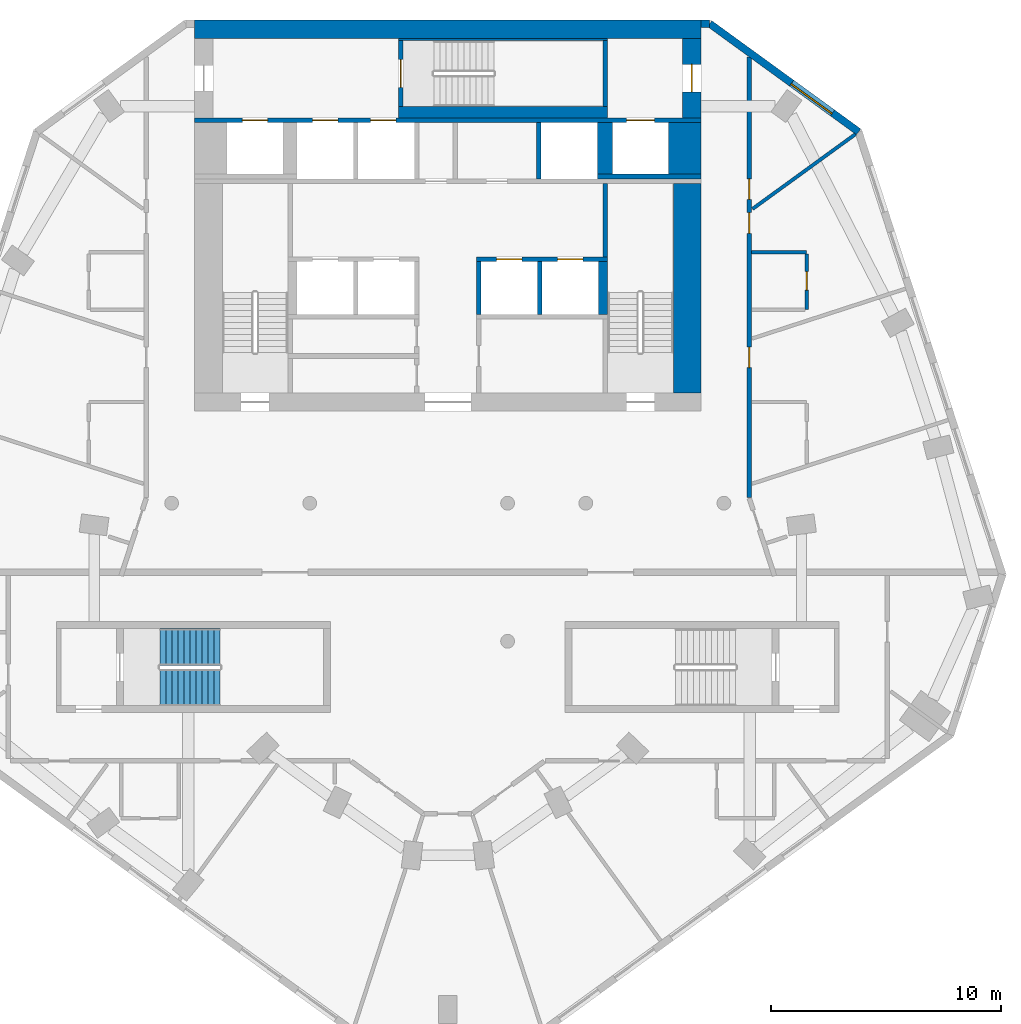
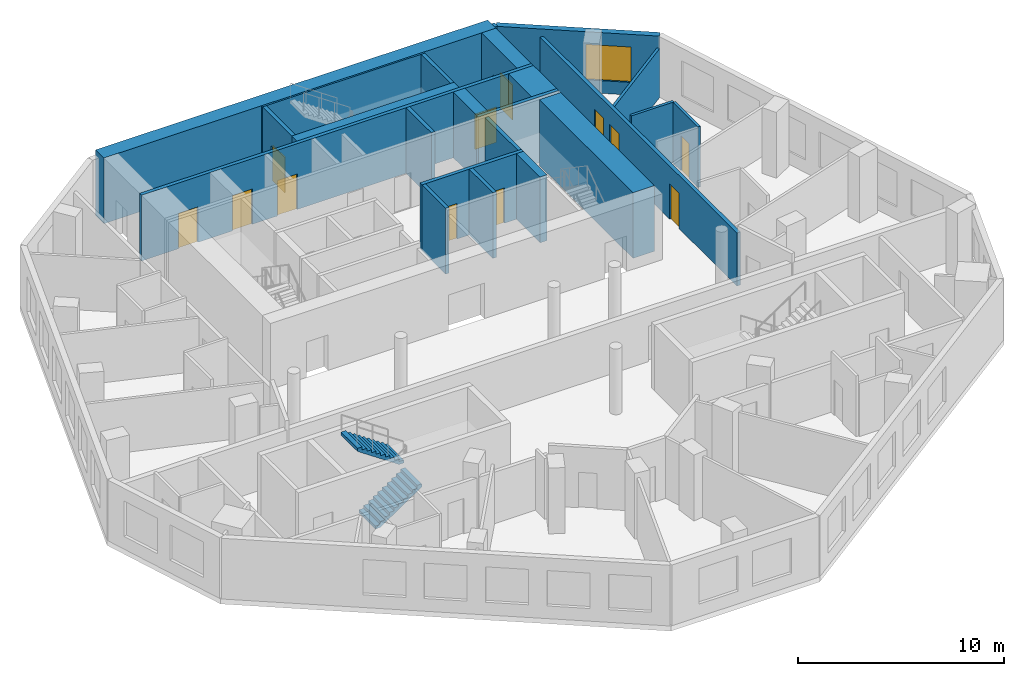
# One storey, part 6 of 9: 23 walls, 12 doors, 2 stair flights, 1 window, 13 openings, 1 element without a shape of its own.
"""IFC4 building model written with IfcOpenShell, lengths in metres."""

from ifc_helpers import new_model, si_unit, direction, frame, frame_2d, origin, place, context, subcontext, project, spatial, polyline, rectangle, outline, extrude, material, layer, layer_set, type_object, element, fill, aggregate, save


model = new_model("IFC4")

# Units and contexts
model_context = context("Model", 3, precision=1e-05, world=origin(), true_north=direction((0.0, 1.0)))
body_context = subcontext(model_context, "Body", "Model", "MODEL_VIEW")
ifc_project = project(units=[si_unit("LENGTHUNIT", "METRE"), si_unit("AREAUNIT", "SQUARE_METRE"), si_unit("VOLUMEUNIT", "CUBIC_METRE"), si_unit("PLANEANGLEUNIT", "RADIAN"), si_unit("MASSUNIT", "GRAM", prefix="KILO")], contexts=[model_context])

# Site, building, storey
site_placement = place(None, origin())
site = spatial("IfcSite", under=ifc_project, at=site_placement, CompositionType="ELEMENT")
building_placement = place(site_placement, origin())
building = spatial("IfcBuilding", under=site, at=building_placement, Name="White Candle Pilgrim Tower", CompositionType="ELEMENT")
storey_placement = place(building_placement, frame((0.0, 0.0, 239.39990234375)))
storey = spatial("IfcBuildingStorey", under=building, at=storey_placement, Name="L56", CompositionType="ELEMENT", Elevation=239.39990234375)

# Walls
ifc_material_1 = material(Name="Concrete C50/60", Category="concrete")
ifc_layer_1 = layer(ifc_material_1, 1.39990234375)
ifc_layer_set_1 = layer_set([ifc_layer_1], Name="Core wall 1400 mm Concrete C50/60")
wall_type_1 = type_object("IfcWallType", Name="Core wall 1400 mm Concrete C50/60", PredefinedType="SHEAR", material=ifc_layer_set_1)
wall_1_placement = place(storey_placement, frame((80.300048828125, 81.300048828125, 0.0), z_axis=(0.0, 0.0, 1.0), x_axis=(0.0, 1.0, 0.0)))
element("IfcWall", 1, at=wall_1_placement, inside=storey, type_object=wall_type_1, Name="WL-L56-C43", PredefinedType="SHEAR", context=body_context, shape_type="SweptSolid", body=[
    extrude(rectangle(XDim=2.25, YDim=1.39990234375, at=frame_2d((1.125, 0.0))), origin(), (0.0, 0.0, 1.0), 3.900146484375),
])
ifc_layer_2 = layer(ifc_material_1, 0.199951171875)
ifc_layer_set_2 = layer_set([ifc_layer_2], Name="Core wall 200 mm Concrete C50/60")
wall_type_2 = type_object("IfcWallType", Name="Core wall 200 mm Concrete C50/60", PredefinedType="SHEAR", material=ifc_layer_set_2)
wall_2_placement = place(storey_placement, frame((76.5, 81.199951171875, 0.0), z_axis=(0.0, 0.0, 1.0), x_axis=(1.0, 0.0, 0.0)))
element("IfcWall", 2, at=wall_2_placement, inside=storey, type_object=wall_type_2, Name="WL-L56-C39", PredefinedType="SHEAR", context=body_context, shape_type="SweptSolid", body=[
    extrude(rectangle(XDim=4.5, YDim=0.199951171875, at=frame_2d((2.25, 0.0))), origin(), (0.0, 0.0, 1.0), 3.900146484375),
])

# Wall, openings, doors
wall_3_placement = place(storey_placement, frame((59.0, 83.64990234375, 0.0), z_axis=(0.0, 0.0, 1.0), x_axis=(1.0, 0.0, 0.0)))
wall_3 = element("IfcWall", 3, at=wall_3_placement, inside=storey, type_object=wall_type_2, Name="WL-L56-C44", PredefinedType="SHEAR", context=body_context, shape_type="SweptSolid", body=[
    extrude(rectangle(XDim=22.0, YDim=0.199951171875, at=frame_2d((11.0, 0.0))), origin(), (0.0, 0.0, 1.0), 3.900146484375),
])
opening_1_placement = place(wall_3_placement, frame((5.125, 0.0, 0.0)))
opening_1 = element("IfcOpeningElement", 4, at=opening_1_placement, cuts=wall_3, Name="Opening T17-018", PredefinedType="OPENING", context=body_context, shape_type="SweptSolid", body=[
    extrude(rectangle(XDim=1.10009765625, YDim=2.10009765625, at=frame_2d((0.550048828125, 1.050048828125))), frame((0.0, 0.10986328125, 0.0), z_axis=(0.0, -1.0, 0.0), x_axis=(1.0, 0.0, 0.0)), (0.0, 0.0, 1.0), 0.219970703125),
])
opening_2_placement = place(wall_3_placement, frame((7.64990234375, 0.0, 0.0)))
opening_2 = element("IfcOpeningElement", 5, at=opening_2_placement, cuts=wall_3, Name="Opening T17-019", PredefinedType="OPENING", context=body_context, shape_type="SweptSolid", body=[
    extrude(rectangle(XDim=1.10009765625, YDim=2.10009765625, at=frame_2d((0.550048828125, 1.050048828125))), frame((0.0, 0.10986328125, 0.0), z_axis=(0.0, -1.0, 0.0), x_axis=(1.0, 0.0, 0.0)), (0.0, 0.0, 1.0), 0.219970703125),
])
opening_3_placement = place(wall_3_placement, frame((18.77490234375, 0.0, 0.0)))
opening_3 = element("IfcOpeningElement", 6, at=opening_3_placement, cuts=wall_3, Name="Opening T17-020", PredefinedType="OPENING", context=body_context, shape_type="SweptSolid", body=[
    extrude(rectangle(XDim=1.199951171875, YDim=2.10009765625, at=frame_2d((0.60009765625, 1.050048828125))), frame((0.0, 0.10986328125, 0.0), z_axis=(0.0, -1.0, 0.0), x_axis=(1.0, 0.0, 0.0)), (0.0, 0.0, 1.0), 0.219970703125),
])
opening_4_placement = place(wall_3_placement, frame((2.074951171875, 0.0, 0.0)))
opening_4 = element("IfcOpeningElement", 7, at=opening_4_placement, cuts=wall_3, Name="Opening T17-021", PredefinedType="OPENING", context=body_context, shape_type="SweptSolid", body=[
    extrude(rectangle(XDim=1.10009765625, YDim=2.10009765625, at=frame_2d((0.550048828125, 1.050048828125))), frame((0.0, 0.10986328125, 0.0), z_axis=(0.0, -1.0, 0.0), x_axis=(1.0, 0.0, 0.0)), (0.0, 0.0, 1.0), 0.219970703125),
])
ifc_material_2 = material(Name="Stainless steel", Category="steel")
door_type_1 = type_object("IfcDoorType", Name="Lift landing door 1100 x 2100 EI 60", OperationType="DOUBLE_DOOR_SLIDING", PredefinedType="DOOR", material=ifc_material_2)
door_1_placement = place(opening_1_placement, origin())
door_1 = element("IfcDoor", 8, at=door_1_placement, inside=storey, type_object=door_type_1, Name="Door T17-018", OperationType="DOUBLE_DOOR_SLIDING", OverallHeight=2.10009765625, OverallWidth=1.10009765625, PredefinedType="DOOR", context=body_context, shape_type="SweptSolid", body=[
    extrude(rectangle(XDim=1.10009765625, YDim=2.10009765625, at=frame_2d((0.550048828125, 1.050048828125))), frame((0.0, 0.02490234375, 0.0), z_axis=(0.0, -1.0, 0.0), x_axis=(1.0, 0.0, 0.0)), (0.0, 0.0, 1.0), 0.050048828125),
])
fill(opening_1, door_1)
door_2_placement = place(opening_2_placement, origin())
door_2 = element("IfcDoor", 9, at=door_2_placement, inside=storey, type_object=door_type_1, Name="Door T17-019", OperationType="DOUBLE_DOOR_SLIDING", OverallHeight=2.10009765625, OverallWidth=1.10009765625, PredefinedType="DOOR", context=body_context, shape_type="SweptSolid", body=[
    extrude(rectangle(XDim=1.10009765625, YDim=2.10009765625, at=frame_2d((0.550048828125, 1.050048828125))), frame((0.0, 0.02490234375, 0.0), z_axis=(0.0, -1.0, 0.0), x_axis=(1.0, 0.0, 0.0)), (0.0, 0.0, 1.0), 0.050048828125),
])
fill(opening_2, door_2)
door_3_placement = place(opening_4_placement, origin())
door_3 = element("IfcDoor", 10, at=door_3_placement, inside=storey, type_object=door_type_1, Name="Door T17-021", OperationType="DOUBLE_DOOR_SLIDING", OverallHeight=2.10009765625, OverallWidth=1.10009765625, PredefinedType="DOOR", context=body_context, shape_type="SweptSolid", body=[
    extrude(rectangle(XDim=1.10009765625, YDim=2.10009765625, at=frame_2d((0.550048828125, 1.050048828125))), frame((0.0, 0.02490234375, 0.0), z_axis=(0.0, -1.0, 0.0), x_axis=(1.0, 0.0, 0.0)), (0.0, 0.0, 1.0), 0.050048828125),
])
fill(opening_4, door_3)
door_type_2 = type_object("IfcDoorType", Name="Lift landing door 1200 x 2100 E 60", OperationType="DOUBLE_DOOR_SLIDING", PredefinedType="DOOR", material=ifc_material_2)
door_4_placement = place(opening_3_placement, origin())
door_4 = element("IfcDoor", 11, at=door_4_placement, inside=storey, type_object=door_type_2, Name="Door T17-020", OperationType="DOUBLE_DOOR_SLIDING", OverallHeight=2.10009765625, OverallWidth=1.199951171875, PredefinedType="DOOR", context=body_context, shape_type="SweptSolid", body=[
    extrude(rectangle(XDim=1.199951171875, YDim=2.10009765625, at=frame_2d((0.60009765625, 1.050048828125))), frame((0.0, 0.02490234375, 0.0), z_axis=(0.0, -1.0, 0.0), x_axis=(1.0, 0.0, 0.0)), (0.0, 0.0, 1.0), 0.050048828125),
])
fill(opening_3, door_4)

# Wall, opening, door
ifc_layer_3 = layer(ifc_material_1, 0.800048828125)
ifc_layer_set_3 = layer_set([ifc_layer_3], Name="Core wall 800 mm Concrete C50/60")
wall_type_3 = type_object("IfcWallType", Name="Core wall 800 mm Concrete C50/60", PredefinedType="SHEAR", material=ifc_layer_set_3)
wall_4_placement = place(storey_placement, frame((80.60009765625, 83.75, 0.0), z_axis=(0.0, 0.0, 1.0), x_axis=(0.0, 1.0, 0.0)))
wall_4 = element("IfcWall", 12, at=wall_4_placement, inside=storey, type_object=wall_type_3, Name="WL-L56-C47", PredefinedType="SHEAR", context=body_context, shape_type="SweptSolid", body=[
    extrude(rectangle(XDim=3.449951171875, YDim=0.800048828125, at=frame_2d((1.72509765625, 0.0))), origin(), (0.0, 0.0, 1.0), 3.900146484375),
])
opening_5_placement = place(wall_4_placement, frame((1.125, 0.0, 0.0)))
opening_5 = element("IfcOpeningElement", 13, at=opening_5_placement, cuts=wall_4, Name="Opening T17-009", PredefinedType="OPENING", context=body_context, shape_type="SweptSolid", body=[
    extrude(rectangle(XDim=1.199951171875, YDim=2.10009765625, at=frame_2d((0.60009765625, 1.050048828125))), frame((0.0, 0.409912109375, 0.0), z_axis=(0.0, -1.0, 0.0), x_axis=(1.0, 0.0, 0.0)), (0.0, 0.0, 1.0), 0.820068359375),
])
ifc_material_3 = material(Name="Steel door leaf", Category="steel")
door_type_3 = type_object("IfcDoorType", Name="Fire door 1200 x 2100 EI 30", OperationType="NOTDEFINED", PredefinedType="DOOR", material=ifc_material_3)
door_5_placement = place(opening_5_placement, origin())
door_5 = element("IfcDoor", 14, at=door_5_placement, inside=storey, type_object=door_type_3, Name="Door T17-009", OperationType="SINGLE_SWING_LEFT", OverallHeight=2.10009765625, OverallWidth=1.199951171875, PredefinedType="DOOR", context=body_context, shape_type="SweptSolid", body=[
    extrude(rectangle(XDim=1.199951171875, YDim=2.10009765625, at=frame_2d((0.60009765625, 1.050048828125))), frame((0.0, 0.02490234375, 0.0), z_axis=(0.0, -1.0, 0.0), x_axis=(1.0, 0.0, 0.0)), (0.0, 0.0, 1.0), 0.050048828125),
])
fill(opening_5, door_5)

# Wall
wall_5_placement = place(storey_placement, frame((59.0, 87.60009765625, 0.0), z_axis=(0.0, 0.0, 1.0), x_axis=(1.0, 0.0, 0.0)))
element("IfcWall", 15, at=wall_5_placement, inside=storey, type_object=wall_type_3, Name="WL-L56-C51", PredefinedType="SHEAR", context=body_context, shape_type="SweptSolid", body=[
    extrude(rectangle(XDim=22.0, YDim=0.800048828125, at=frame_2d((11.0, 0.0))), origin(), (0.0, 0.0, 1.0), 3.900146484375),
])

# Wall, openings, doors
ifc_material_4 = material(Name="Gypsum board on steel studs", Category="steel")
ifc_layer_4 = layer(ifc_material_4, 0.199951171875)
ifc_layer_set_4 = layer_set([ifc_layer_4], Name="Corridor wall 200 mm EI 45")
wall_type_4 = type_object("IfcWallType", Name="Corridor wall 200 mm EI 45", PredefinedType="PARTITIONING", material=ifc_layer_set_4)
wall_6_placement = place(storey_placement, frame((83.10009765625, 86.396240234375, 0.0), z_axis=(0.0, 0.0, 1.0), x_axis=(0.0, -1.0, 0.0)))
wall_6 = element("IfcWall", 16, at=wall_6_placement, inside=storey, type_object=wall_type_4, Name="WL-L56-P004", PredefinedType="PARTITIONING", context=body_context, shape_type="SweptSolid", body=[
    extrude(rectangle(XDim=19.154296875, YDim=0.199951171875, at=frame_2d((9.5771484375, 0.0))), origin(), (0.0, 0.0, 1.0), 3.150146484375),
])
opening_6_placement = place(wall_6_placement, frame((5.29638671875, 0.0, 0.0)))
opening_6 = element("IfcOpeningElement", 17, at=opening_6_placement, cuts=wall_6, Name="Opening T17-123", PredefinedType="OPENING", context=body_context, shape_type="SweptSolid", body=[
    extrude(rectangle(XDim=0.89990234375, YDim=2.10009765625, at=frame_2d((0.449951171875, 1.050048828125))), frame((0.0, 0.10986328125, 0.0), z_axis=(0.0, -1.0, 0.0), x_axis=(1.0, 0.0, 0.0)), (0.0, 0.0, 1.0), 0.219970703125),
])
opening_7_placement = place(wall_6_placement, frame((6.770751953125, 0.0, 0.0)))
opening_7 = element("IfcOpeningElement", 18, at=opening_7_placement, cuts=wall_6, Name="Opening T17-124", PredefinedType="OPENING", context=body_context, shape_type="SweptSolid", body=[
    extrude(rectangle(XDim=0.89990234375, YDim=2.10009765625, at=frame_2d((0.449951171875, 1.050048828125))), frame((0.0, 0.10986328125, 0.0), z_axis=(0.0, -1.0, 0.0), x_axis=(1.0, 0.0, 0.0)), (0.0, 0.0, 1.0), 0.219970703125),
])
opening_8_placement = place(wall_6_placement, frame((12.607666015625, 0.0, 0.0)))
opening_8 = element("IfcOpeningElement", 19, at=opening_8_placement, cuts=wall_6, Name="Opening T17-125", PredefinedType="OPENING", context=body_context, shape_type="SweptSolid", body=[
    extrude(rectangle(XDim=0.89990234375, YDim=2.10009765625, at=frame_2d((0.449951171875, 1.050048828125))), frame((0.0, 0.10986328125, 0.0), z_axis=(0.0, -1.0, 0.0), x_axis=(1.0, 0.0, 0.0)), (0.0, 0.0, 1.0), 0.219970703125),
])
door_type_4 = type_object("IfcDoorType", Name="Fire door 900 x 2100 EI 30", OperationType="NOTDEFINED", PredefinedType="DOOR", material=ifc_material_3)
door_6_placement = place(opening_6_placement, origin())
door_6 = element("IfcDoor", 20, at=door_6_placement, inside=storey, type_object=door_type_4, Name="Door T17-123", OperationType="SINGLE_SWING_LEFT", OverallHeight=2.10009765625, OverallWidth=0.89990234375, PredefinedType="DOOR", context=body_context, shape_type="SweptSolid", body=[
    extrude(rectangle(XDim=0.89990234375, YDim=2.10009765625, at=frame_2d((0.449951171875, 1.050048828125))), frame((0.0, 0.02490234375, 0.0), z_axis=(0.0, -1.0, 0.0), x_axis=(1.0, 0.0, 0.0)), (0.0, 0.0, 1.0), 0.050048828125),
])
fill(opening_6, door_6)
door_7_placement = place(opening_7_placement, origin())
door_7 = element("IfcDoor", 21, at=door_7_placement, inside=storey, type_object=door_type_4, Name="Door T17-124", OperationType="SINGLE_SWING_RIGHT", OverallHeight=2.10009765625, OverallWidth=0.89990234375, PredefinedType="DOOR", context=body_context, shape_type="SweptSolid", body=[
    extrude(rectangle(XDim=0.89990234375, YDim=2.10009765625, at=frame_2d((0.449951171875, 1.050048828125))), frame((0.0, 0.02490234375, 0.0), z_axis=(0.0, -1.0, 0.0), x_axis=(1.0, 0.0, 0.0)), (0.0, 0.0, 1.0), 0.050048828125),
])
fill(opening_7, door_7)
door_8_placement = place(opening_8_placement, origin())
door_8 = element("IfcDoor", 22, at=door_8_placement, inside=storey, type_object=door_type_4, Name="Door T17-125", OperationType="SINGLE_SWING_LEFT", OverallHeight=2.10009765625, OverallWidth=0.89990234375, PredefinedType="DOOR", context=body_context, shape_type="SweptSolid", body=[
    extrude(rectangle(XDim=0.89990234375, YDim=2.10009765625, at=frame_2d((0.449951171875, 1.050048828125))), frame((0.0, 0.02490234375, 0.0), z_axis=(0.0, -1.0, 0.0), x_axis=(1.0, 0.0, 0.0)), (0.0, 0.0, 1.0), 0.050048828125),
])
fill(opening_8, door_8)

# Wall, opening, window
ifc_material_5 = material(Name="Precast concrete C40/50", Category="concrete")
ifc_layer_5 = layer(ifc_material_5, 0.320068359375)
ifc_layer_set_5 = layer_set([ifc_layer_5], Name="Facade wall EW1 precast concrete C40/50 pier wall with timber-lined reveals")
wall_type_5 = type_object("IfcWallType", Name="Facade wall EW1 precast concrete C40/50 pier wall with timber-lined reveals", PredefinedType="SOLIDWALL", material=ifc_layer_set_5)
wall_7_placement = place(storey_placement, frame((87.85546875, 83.138916015625, 0.0), z_axis=(0.0, 0.0, 1.0), x_axis=(-0.809010558388, 0.587794110566, 0.0)))
wall_7 = element("IfcWall", 23, at=wall_7_placement, inside=storey, type_object=wall_type_5, Name="Facade wall L56 NE chamfer", PredefinedType="SOLIDWALL", context=body_context, shape_type="SweptSolid", body=[
    extrude(rectangle(XDim=7.998046875, YDim=0.320068359375, at=frame_2d((3.9990234375, 0.0))), origin(), (0.0, 0.0, 1.0), 3.60009765625),
])
opening_9_placement = place(wall_7_placement, frame((1.39892578125, 0.0, 0.75)))
opening_9 = element("IfcOpeningElement", 24, at=opening_9_placement, cuts=wall_7, Name="Opening W4", PredefinedType="OPENING", context=body_context, shape_type="SweptSolid", body=[
    extrude(rectangle(XDim=2.199951171875, YDim=2.10009765625, at=frame_2d((1.10009765625, 1.050048828125))), frame((0.0, 0.169921875, 0.0), z_axis=(0.0, -1.0, 0.0), x_axis=(1.0, 0.0, 0.0)), (0.0, 0.0, 1.0), 0.340087890625),
])
ifc_material_6 = material(Name="Timber frame with triple glazing", Category="wood")
window_type = type_object("IfcWindowType", Name="Window W4 2200x2100 timber frame triple glazing", PartitioningType="SINGLE_PANEL", PredefinedType="WINDOW", material=ifc_material_6)
window_placement = place(opening_9_placement, origin())
window = element("IfcWindow", 25, at=window_placement, inside=storey, type_object=window_type, Name="Window W4 L56 NE chamfer 1", OverallHeight=2.10009765625, OverallWidth=2.199951171875, PartitioningType="SINGLE_PANEL", PredefinedType="WINDOW", context=body_context, shape_type="SweptSolid", body=[
    extrude(rectangle(XDim=2.199951171875, YDim=2.10009765625, at=frame_2d((1.10009765625, 1.050048828125))), frame((0.0, 0.070068359375, 0.0), z_axis=(0.0, -1.0, 0.0), x_axis=(1.0, 0.0, 0.0)), (0.0, 0.0, 1.0), 0.06005859375),
])
fill(opening_9, window)

# Walls
wall_8_placement = place(storey_placement, frame((81.385009765625, 87.840087890625, 0.0), z_axis=(0.0, 0.0, 1.0), x_axis=(-1.0, 0.0, 0.0)))
element("IfcWall", 26, at=wall_8_placement, inside=storey, type_object=wall_type_5, Name="Facade wall L56 N", PredefinedType="SOLIDWALL", context=body_context, shape_type="SweptSolid", body=[
    extrude(rectangle(XDim=0.385009765625, YDim=0.320068359375, at=frame_2d((0.1923828125, 0.0))), origin(), (0.0, 0.0, 1.0), 3.60009765625),
])
ifc_layer_6 = layer(ifc_material_4, 0.14990234375)
ifc_layer_set_6 = layer_set([ifc_layer_6], Name="Partition 150 mm EI 60")
wall_type_6 = type_object("IfcWallType", Name="Partition 150 mm EI 60", PredefinedType="PARTITIONING", material=ifc_layer_set_6)
wall_9_placement = place(storey_placement, frame((87.71923828125, 83.0400390625, 0.0), z_axis=(0.0, 0.0, 1.0), x_axis=(-0.809028003405, -0.587770099364, 0.0)))
element("IfcWall", 27, at=wall_9_placement, inside=storey, type_object=wall_type_6, Name="WL-L56-P018", PredefinedType="PARTITIONING", context=body_context, shape_type="SweptSolid", body=[
    extrude(rectangle(XDim=5.531494140625, YDim=0.14990234375, at=frame_2d((2.765625, 0.0))), origin(), (0.0, 0.0, 1.0), 2.900146484375),
])
wall_10_placement = place(storey_placement, frame((83.199951171875, 77.913330078125, 0.0), z_axis=(0.0, 0.0, 1.0), x_axis=(1.0, 0.0, 0.0)))
element("IfcWall", 28, at=wall_10_placement, inside=storey, type_object=wall_type_6, Name="WL-L56-P042", PredefinedType="PARTITIONING", context=body_context, shape_type="SweptSolid", body=[
    extrude(rectangle(XDim=2.400146484375, YDim=0.14990234375, at=frame_2d((1.2001953125, 0.0))), origin(), (0.0, 0.0, 1.0), 3.60009765625),
])

# Wall, opening, door
wall_11_placement = place(storey_placement, frame((85.60009765625, 75.413330078125, 0.0), z_axis=(0.0, 0.0, 1.0), x_axis=(0.0, 1.0, 0.0)))
wall_11 = element("IfcWall", 29, at=wall_11_placement, inside=storey, type_object=wall_type_6, Name="WL-L56-P043", PredefinedType="PARTITIONING", context=body_context, shape_type="SweptSolid", body=[
    extrude(rectangle(XDim=2.425048828125, YDim=0.14990234375, at=frame_2d((1.21240234375, 0.0))), origin(), (0.0, 0.0, 1.0), 3.60009765625),
])
opening_10_placement = place(wall_11_placement, frame((0.85009765625, 0.0, 0.0)))
opening_10 = element("IfcOpeningElement", 30, at=opening_10_placement, cuts=wall_11, Name="Opening T17-116", PredefinedType="OPENING", context=body_context, shape_type="SweptSolid", body=[
    extrude(rectangle(XDim=0.800048828125, YDim=2.10009765625, at=frame_2d((0.39990234375, 1.050048828125))), frame((0.0, 0.0849609375, 0.0), z_axis=(0.0, -1.0, 0.0), x_axis=(1.0, 0.0, 0.0)), (0.0, 0.0, 1.0), 0.169921875),
])
door_type_5 = type_object("IfcDoorType", Name="Fire door 800 x 2100 EI 30", OperationType="NOTDEFINED", PredefinedType="DOOR", material=ifc_material_3)
door_9_placement = place(opening_10_placement, frame((0.800048828125, 0.0, 0.0), z_axis=(0.0, 0.0, 1.0), x_axis=(-1.0, 0.0, 0.0)))
door_9 = element("IfcDoor", 31, at=door_9_placement, inside=storey, type_object=door_type_5, Name="Door T17-116", OperationType="SINGLE_SWING_LEFT", OverallHeight=2.10009765625, OverallWidth=0.800048828125, PredefinedType="DOOR", context=body_context, shape_type="SweptSolid", body=[
    extrude(rectangle(XDim=0.800048828125, YDim=2.10009765625, at=frame_2d((0.39990234375, 1.050048828125))), frame((0.0, 0.02490234375, 0.0), z_axis=(0.0, -1.0, 0.0), x_axis=(1.0, 0.0, 0.0)), (0.0, 0.0, 1.0), 0.050048828125),
])
fill(opening_10, door_9)

# Walls
ifc_layer_7 = layer(ifc_material_1, 0.199951171875)
ifc_layer_set_7 = layer_set([ifc_layer_7], Name="Shaft wall 200 mm Concrete C50/60")
wall_type_7 = type_object("IfcWallType", Name="Shaft wall 200 mm Concrete C50/60", PredefinedType="SHEAR", material=ifc_layer_set_7)
for number, where, z_axis, x_axis, name in (
    (32, (71.35009765625, 75.199951171875, 0.0), (0.0, 0.0, 1.0), (0.0, 1.0, 0.0), "WL-L56-C26"),
    (33, (74.0, 75.199951171875, 0.0), (0.0, 0.0, 1.0), (0.0, 1.0, 0.0), "WL-L56-C27"),
):
    element("IfcWall", number, at=place(storey_placement, frame(where, z_axis=z_axis, x_axis=x_axis)), inside=storey, type_object=wall_type_7, Name=name, PredefinedType="SHEAR", context=body_context, shape_type="SweptSolid", body=[
        extrude(rectangle(XDim=2.300048828125, YDim=0.199951171875, at=frame_2d((1.14990234375, 0.0))), origin(), (0.0, 0.0, 1.0), 3.900146484375),
    ])
wall_12_placement = place(storey_placement, frame((73.949951171875, 81.10009765625, 0.0), z_axis=(0.0, 0.0, 1.0), x_axis=(0.0, 1.0, 0.0)))
element("IfcWall", 34, at=wall_12_placement, inside=storey, type_object=wall_type_7, Name="WL-L56-C38", PredefinedType="SHEAR", context=body_context, shape_type="SweptSolid", body=[
    extrude(rectangle(XDim=2.449951171875, YDim=0.199951171875, at=frame_2d((1.22509765625, 0.0))), origin(), (0.0, 0.0, 1.0), 3.900146484375),
])
ifc_layer_8 = layer(ifc_material_1, 0.64990234375)
ifc_layer_set_8 = layer_set([ifc_layer_8], Name="Shaft wall 650 mm Concrete C50/60")
wall_type_8 = type_object("IfcWallType", Name="Shaft wall 650 mm Concrete C50/60", PredefinedType="SHEAR", material=ifc_layer_set_8)
wall_13_placement = place(storey_placement, frame((76.824951171875, 81.300048828125, 0.0), z_axis=(0.0, 0.0, 1.0), x_axis=(0.0, 1.0, 0.0)))
element("IfcWall", 35, at=wall_13_placement, inside=storey, type_object=wall_type_8, Name="WL-L56-C42", PredefinedType="SHEAR", context=body_context, shape_type="SweptSolid", body=[
    extrude(rectangle(XDim=2.25, YDim=0.64990234375, at=frame_2d((1.125, 0.0))), origin(), (0.0, 0.0, 1.0), 3.900146484375),
])
ifc_layer_9 = layer(ifc_material_1, 0.10009765625)
ifc_layer_set_9 = layer_set([ifc_layer_9], Name="Stair shaft wall 100 mm Concrete C50/60")
wall_type_9 = type_object("IfcWallType", Name="Stair shaft wall 100 mm Concrete C50/60", PredefinedType="SHEAR", material=ifc_layer_set_9)
wall_14_placement = place(storey_placement, frame((67.85009765625, 87.14990234375, 0.0), z_axis=(0.0, 0.0, 1.0), x_axis=(1.0, 0.0, 0.0)))
element("IfcWall", 36, at=wall_14_placement, inside=storey, type_object=wall_type_9, Name="WL-L56-C50", PredefinedType="SHEAR", context=body_context, shape_type="SweptSolid", body=[
    extrude(rectangle(XDim=9.099853515625, YDim=0.10009765625, at=frame_2d((4.5498046875, 0.0))), origin(), (0.0, 0.0, 1.0), 3.900146484375),
])
ifc_layer_10 = layer(ifc_material_1, 1.199951171875)
ifc_layer_set_10 = layer_set([ifc_layer_10], Name="Stair shaft wall 1200 mm Concrete C50/60")
wall_type_10 = type_object("IfcWallType", Name="Stair shaft wall 1200 mm Concrete C50/60", PredefinedType="SHEAR", material=ifc_layer_set_10)
wall_15_placement = place(storey_placement, frame((80.39990234375, 71.800048828125, 0.0), z_axis=(0.0, 0.0, 1.0), x_axis=(0.0, 1.0, 0.0)))
element("IfcWall", 37, at=wall_15_placement, inside=storey, type_object=wall_type_10, Name="WL-L56-C17", PredefinedType="SHEAR", context=body_context, shape_type="SweptSolid", body=[
    extrude(rectangle(XDim=9.099853515625, YDim=1.199951171875, at=frame_2d((4.5498046875, 0.0))), origin(), (0.0, 0.0, 1.0), 3.900146484375),
])

# Wall, openings, doors
ifc_layer_11 = layer(ifc_material_1, 0.199951171875)
ifc_layer_set_11 = layer_set([ifc_layer_11], Name="Stair shaft wall 200 mm Concrete C50/60")
wall_type_11 = type_object("IfcWallType", Name="Stair shaft wall 200 mm Concrete C50/60", PredefinedType="SHEAR", material=ifc_layer_set_11)
wall_16_placement = place(storey_placement, frame((71.25, 77.60009765625, 0.0), z_axis=(0.0, 0.0, 1.0), x_axis=(1.0, 0.0, 0.0)))
wall_16 = element("IfcWall", 38, at=wall_16_placement, inside=storey, type_object=wall_type_11, Name="WL-L56-C30", PredefinedType="SHEAR", context=body_context, shape_type="SweptSolid", body=[
    extrude(rectangle(XDim=5.699951171875, YDim=0.199951171875, at=frame_2d((2.85009765625, 0.0))), origin(), (0.0, 0.0, 1.0), 3.900146484375),
])
opening_11_placement = place(wall_16_placement, frame((0.875, 0.0, 0.0)))
opening_11 = element("IfcOpeningElement", 39, at=opening_11_placement, cuts=wall_16, Name="Opening T17-016", PredefinedType="OPENING", context=body_context, shape_type="SweptSolid", body=[
    extrude(rectangle(XDim=1.10009765625, YDim=2.10009765625, at=frame_2d((0.550048828125, 1.050048828125))), frame((0.0, 0.10986328125, 0.0), z_axis=(0.0, -1.0, 0.0), x_axis=(1.0, 0.0, 0.0)), (0.0, 0.0, 1.0), 0.219970703125),
])
opening_12_placement = place(wall_16_placement, frame((3.52490234375, 0.0, 0.0)))
opening_12 = element("IfcOpeningElement", 40, at=opening_12_placement, cuts=wall_16, Name="Opening T17-017", PredefinedType="OPENING", context=body_context, shape_type="SweptSolid", body=[
    extrude(rectangle(XDim=1.10009765625, YDim=2.10009765625, at=frame_2d((0.550048828125, 1.050048828125))), frame((0.0, 0.10986328125, 0.0), z_axis=(0.0, -1.0, 0.0), x_axis=(1.0, 0.0, 0.0)), (0.0, 0.0, 1.0), 0.219970703125),
])
door_type_6 = type_object("IfcDoorType", Name="Lift landing door 1100 x 2100 E 60", OperationType="DOUBLE_DOOR_SLIDING", PredefinedType="DOOR", material=ifc_material_2)
door_10_placement = place(opening_11_placement, origin())
door_10 = element("IfcDoor", 41, at=door_10_placement, inside=storey, type_object=door_type_6, Name="Door T17-016", OperationType="DOUBLE_DOOR_SLIDING", OverallHeight=2.10009765625, OverallWidth=1.10009765625, PredefinedType="DOOR", context=body_context, shape_type="SweptSolid", body=[
    extrude(rectangle(XDim=1.10009765625, YDim=2.10009765625, at=frame_2d((0.550048828125, 1.050048828125))), frame((0.0, 0.02490234375, 0.0), z_axis=(0.0, -1.0, 0.0), x_axis=(1.0, 0.0, 0.0)), (0.0, 0.0, 1.0), 0.050048828125),
])
fill(opening_11, door_10)
door_11_placement = place(opening_12_placement, origin())
door_11 = element("IfcDoor", 42, at=door_11_placement, inside=storey, type_object=door_type_6, Name="Door T17-017", OperationType="DOUBLE_DOOR_SLIDING", OverallHeight=2.10009765625, OverallWidth=1.10009765625, PredefinedType="DOOR", context=body_context, shape_type="SweptSolid", body=[
    extrude(rectangle(XDim=1.10009765625, YDim=2.10009765625, at=frame_2d((0.550048828125, 1.050048828125))), frame((0.0, 0.02490234375, 0.0), z_axis=(0.0, -1.0, 0.0), x_axis=(1.0, 0.0, 0.0)), (0.0, 0.0, 1.0), 0.050048828125),
])
fill(opening_12, door_11)

# Wall
wall_17_placement = place(storey_placement, frame((76.85009765625, 77.699951171875, 0.0), z_axis=(0.0, 0.0, 1.0), x_axis=(0.0, 1.0, 0.0)))
element("IfcWall", 43, at=wall_17_placement, inside=storey, type_object=wall_type_11, Name="WL-L56-C32", PredefinedType="SHEAR", context=body_context, shape_type="SweptSolid", body=[
    extrude(rectangle(XDim=3.199951171875, YDim=0.199951171875, at=frame_2d((1.60009765625, 0.0))), origin(), (0.0, 0.0, 1.0), 3.900146484375),
])

# Wall, opening, door
wall_18_placement = place(storey_placement, frame((67.949951171875, 84.25, 0.0), z_axis=(0.0, 0.0, 1.0), x_axis=(0.0, 1.0, 0.0)))
wall_18 = element("IfcWall", 44, at=wall_18_placement, inside=storey, type_object=wall_type_11, Name="WL-L56-C48", PredefinedType="SHEAR", context=body_context, shape_type="SweptSolid", body=[
    extrude(rectangle(XDim=2.85009765625, YDim=0.199951171875, at=frame_2d((1.425048828125, 0.0))), origin(), (0.0, 0.0, 1.0), 3.900146484375),
])
opening_13_placement = place(wall_18_placement, frame((0.824951171875, 0.0, 0.0)))
opening_13 = element("IfcOpeningElement", 45, at=opening_13_placement, cuts=wall_18, Name="Opening T17-003", PredefinedType="OPENING", context=body_context, shape_type="SweptSolid", body=[
    extrude(rectangle(XDim=1.199951171875, YDim=2.10009765625, at=frame_2d((0.60009765625, 1.050048828125))), frame((0.0, 0.10986328125, 0.0), z_axis=(0.0, -1.0, 0.0), x_axis=(1.0, 0.0, 0.0)), (0.0, 0.0, 1.0), 0.219970703125),
])
door_type_7 = type_object("IfcDoorType", Name="Fire door 1200 x 2100 EI 60", OperationType="NOTDEFINED", PredefinedType="DOOR", material=ifc_material_3)
door_12_placement = place(opening_13_placement, frame((1.199951171875, 0.0, 0.0), z_axis=(0.0, 0.0, 1.0), x_axis=(-1.0, 0.0, 0.0)))
door_12 = element("IfcDoor", 46, at=door_12_placement, inside=storey, type_object=door_type_7, Name="Door T17-003", OperationType="SINGLE_SWING_RIGHT", OverallHeight=2.10009765625, OverallWidth=1.199951171875, PredefinedType="DOOR", context=body_context, shape_type="SweptSolid", body=[
    extrude(rectangle(XDim=1.199951171875, YDim=2.10009765625, at=frame_2d((0.60009765625, 1.050048828125))), frame((0.0, 0.02490234375, 0.0), z_axis=(0.0, -1.0, 0.0), x_axis=(1.0, 0.0, 0.0)), (0.0, 0.0, 1.0), 0.050048828125),
])
fill(opening_13, door_12)

# Walls
wall_19_placement = place(storey_placement, frame((76.85009765625, 84.25, 0.0), z_axis=(0.0, 0.0, 1.0), x_axis=(0.0, 1.0, 0.0)))
element("IfcWall", 47, at=wall_19_placement, inside=storey, type_object=wall_type_11, Name="WL-L56-C49", PredefinedType="SHEAR", context=body_context, shape_type="SweptSolid", body=[
    extrude(rectangle(XDim=2.85009765625, YDim=0.199951171875, at=frame_2d((1.425048828125, 0.0))), origin(), (0.0, 0.0, 1.0), 3.900146484375),
])
ifc_layer_12 = layer(ifc_material_1, 0.39990234375)
ifc_layer_set_12 = layer_set([ifc_layer_12], Name="Stair shaft wall 400 mm Concrete C50/60")
wall_type_12 = type_object("IfcWallType", Name="Stair shaft wall 400 mm Concrete C50/60", PredefinedType="SHEAR", material=ifc_layer_set_12)
wall_20_placement = place(storey_placement, frame((76.75, 75.199951171875, 0.0), z_axis=(0.0, 0.0, 1.0), x_axis=(0.0, 1.0, 0.0)))
element("IfcWall", 48, at=wall_20_placement, inside=storey, type_object=wall_type_12, Name="WL-L56-C28", PredefinedType="SHEAR", context=body_context, shape_type="SweptSolid", body=[
    extrude(rectangle(XDim=2.300048828125, YDim=0.39990234375, at=frame_2d((1.14990234375, 0.0))), origin(), (0.0, 0.0, 1.0), 3.900146484375),
])
ifc_layer_13 = layer(ifc_material_1, 0.5)
ifc_layer_set_13 = layer_set([ifc_layer_13], Name="Stair shaft wall 500 mm Concrete C50/60")
wall_type_13 = type_object("IfcWallType", Name="Stair shaft wall 500 mm Concrete C50/60", PredefinedType="SHEAR", material=ifc_layer_set_13)
wall_21_placement = place(storey_placement, frame((67.85009765625, 84.0, 0.0), z_axis=(0.0, 0.0, 1.0), x_axis=(1.0, 0.0, 0.0)))
element("IfcWall", 49, at=wall_21_placement, inside=storey, type_object=wall_type_13, Name="WL-L56-C46", PredefinedType="SHEAR", context=body_context, shape_type="SweptSolid", body=[
    extrude(rectangle(XDim=9.099853515625, YDim=0.5, at=frame_2d((4.5498046875, 0.0))), origin(), (0.0, 0.0, 1.0), 3.900146484375),
])

# Stair, stair flights
ifc_material_7 = material(Name="Concrete C40/50", Category="concrete")
stair_type = type_object("IfcStairType", Name="Exit stair 5 flight width 1600 mm", PredefinedType="HALF_TURN_STAIR", material=ifc_material_7)
stair_placement = place(storey_placement, origin())
stair = element("IfcStair", 50, at=stair_placement, inside=storey, type_object=stair_type, Name="L56 stair 5", PredefinedType="NOTDEFINED")
ifc_layer_14 = layer(ifc_material_7, 0.14990234375)
ifc_layer_set_14 = layer_set([ifc_layer_14], Name="Stair flight Concrete C40/50")
stair_flight_type = type_object("IfcStairFlightType", Name="Stair flight Concrete C40/50", PredefinedType="STRAIGHT", material=ifc_layer_set_14)
stair_flight_1_placement = place(storey_placement, frame((57.5, 59.0, 0.0), z_axis=(0.0, 0.0, 1.0), x_axis=(1.0, 0.0, 0.0)))
stair_flight_1 = element("IfcStairFlight", 51, at=stair_flight_1_placement, type_object=stair_flight_type, Name="ST5 flight 1", NumberOfRisers=11, NumberOfTreads=10, PredefinedType="NOTDEFINED", RiserHeight=0.177272727, TreadLength=0.26, context=body_context, shape_type="SweptSolid", body=[
    extrude(outline(polyline([(0.0, 0.0), (0.0, 0.17724609375), (0.260009765625, 0.17724609375), (0.260009765625, 0.3544921875), (0.52001953125, 0.3544921875), (0.52001953125, 0.53173828125), (0.780029296875, 0.53173828125), (0.780029296875, 0.708984375), (1.0400390625, 0.708984375), (1.0400390625, 0.886474609375), (1.300048828125, 0.886474609375), (1.300048828125, 1.063720703125), (1.56005859375, 1.063720703125), (1.56005859375, 1.240966796875), (1.820068359375, 1.240966796875), (1.820068359375, 1.418212890625), (2.080078125, 1.418212890625), (2.080078125, 1.595458984375), (2.340087890625, 1.595458984375), (2.340087890625, 1.772705078125), (2.60009765625, 1.772705078125), (2.60009765625, 1.949951171875), (2.60009765625, 1.59130859375), (0.26611328125, 0.0), (0.0, 0.0)])), frame((0.0, 0.800048828125, 0.0), z_axis=(0.0, -1.0, 0.0), x_axis=(1.0, 0.0, 0.0)), (0.0, 0.0, 1.0), 1.60009765625),
])
stair_flight_2_placement = place(storey_placement, frame((60.10009765625, 60.75, 1.9501953125), z_axis=(0.0, 0.0, 1.0), x_axis=(-1.0, 0.0, 0.0)))
stair_flight_2 = element("IfcStairFlight", 52, at=stair_flight_2_placement, type_object=stair_flight_type, Name="ST5 flight 2", NumberOfRisers=11, NumberOfTreads=10, PredefinedType="NOTDEFINED", RiserHeight=0.177272727, TreadLength=0.26, context=body_context, shape_type="SweptSolid", body=[
    extrude(outline(polyline([(0.0, 0.0), (0.0, 0.17724609375), (0.260009765625, 0.17724609375), (0.260009765625, 0.3544921875), (0.52001953125, 0.3544921875), (0.52001953125, 0.53173828125), (0.780029296875, 0.53173828125), (0.780029296875, 0.708984375), (1.0400390625, 0.708984375), (1.0400390625, 0.886474609375), (1.300048828125, 0.886474609375), (1.300048828125, 1.063720703125), (1.56005859375, 1.063720703125), (1.56005859375, 1.240966796875), (1.820068359375, 1.240966796875), (1.820068359375, 1.418212890625), (2.080078125, 1.418212890625), (2.080078125, 1.595458984375), (2.340087890625, 1.595458984375), (2.340087890625, 1.772705078125), (2.60009765625, 1.772705078125), (2.60009765625, 1.949951171875), (2.60009765625, 1.59130859375), (0.26611328125, 0.0), (0.0, 0.0)])), frame((0.0, 0.800048828125, 0.0), z_axis=(0.0, -1.0, 0.0), x_axis=(1.0, 0.0, 0.0)), (0.0, 0.0, 1.0), 1.60009765625),
])
aggregate(stair, [stair_flight_1, stair_flight_2])

save(model, "model.ifc")
